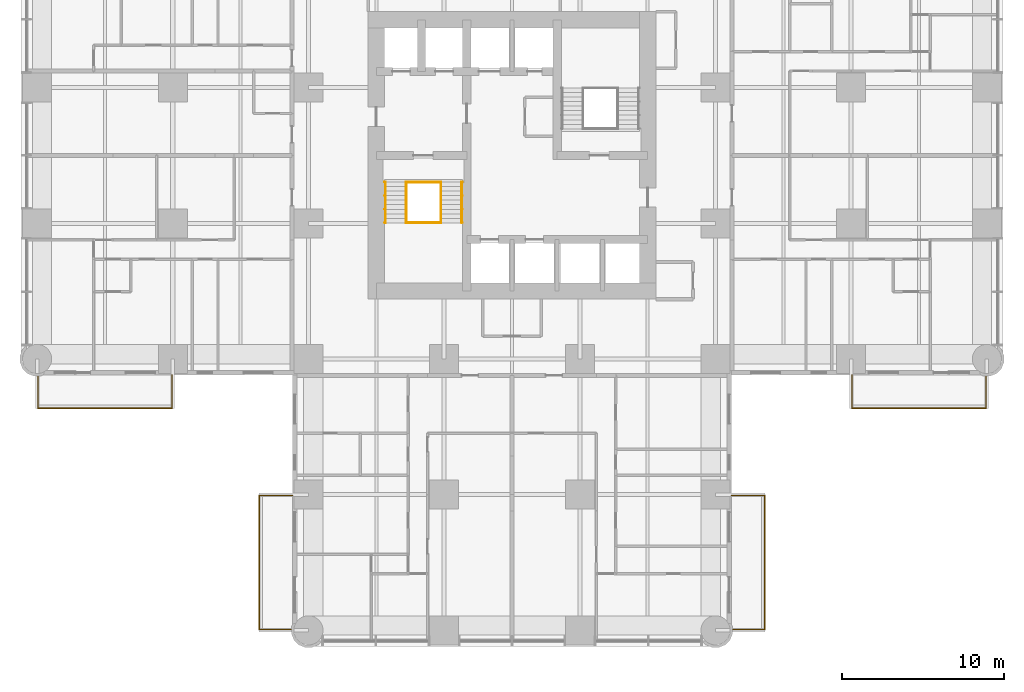
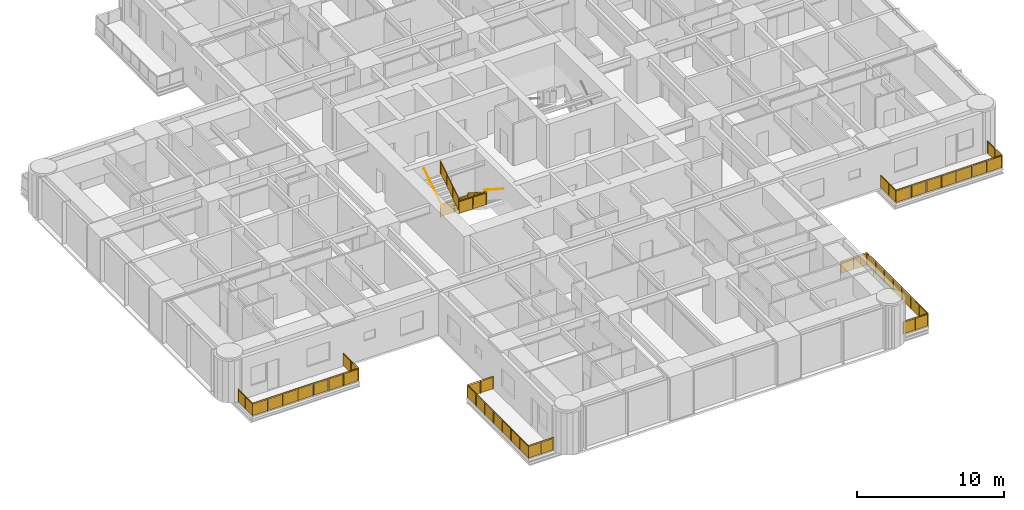
# One storey, part 16 of 17: 10 railings.
"""IFC4 building model written with IfcOpenShell, lengths in metres."""

from ifc_helpers import new_model, si_unit, direction, frame, origin, origin_2d, place, context, subcontext, project, spatial, polyline, circle, outline, extrude, material, constituent, constituent_set, type_object, element, save


model = new_model("IFC4")

# Units and contexts
model_context = context("Model", 3, precision=1e-05, world=origin(), true_north=direction((0.0, 1.0)))
body_context = subcontext(model_context, "Body", "Model", "MODEL_VIEW")
ifc_project = project(units=[si_unit("LENGTHUNIT", "METRE"), si_unit("AREAUNIT", "SQUARE_METRE"), si_unit("VOLUMEUNIT", "CUBIC_METRE"), si_unit("PLANEANGLEUNIT", "RADIAN"), si_unit("MASSUNIT", "GRAM", prefix="KILO")], contexts=[model_context])

# Site, building, storey
site_placement = place(None, origin())
site = spatial("IfcSite", under=ifc_project, at=site_placement, CompositionType="ELEMENT")
building_placement = place(site_placement, origin())
building = spatial("IfcBuilding", under=site, at=building_placement, Name="Torre Alcanfor", CompositionType="ELEMENT")
storey_placement = place(building_placement, frame((0.0, 0.0, 45.300048828125)))
storey = spatial("IfcBuildingStorey", under=building, at=storey_placement, Name="L10", CompositionType="ELEMENT", Elevation=45.300048828125)

# Railings
ifc_material_1 = material(Name="Laminated safety glass", Category="glass")
ifc_constituent_1 = constituent(ifc_material_1, Name="Infill")
ifc_material_2 = material(Name="Stainless steel ASTM A554 Grade MT 316L tube", Category="steel")
ifc_constituent_2 = constituent(ifc_material_2, Name="Posts and rail")
ifc_constituent_set = constituent_set(constituents=[ifc_constituent_1, ifc_constituent_2], Name="Balcony guard glass 1100")
railing_type_1 = type_object("IfcRailingType", Name="Balcony guard glass 1100", PredefinedType="BALUSTRADE", material=ifc_constituent_set)
railing_1_placement = place(storey_placement, frame((50.449951171875, 15.800048828125, 0.0)))
element("IfcRailing", 1, at=railing_1_placement, inside=storey, type_object=railing_type_1, Name="Balcony guard L10-E2", PredefinedType="BALUSTRADE", context=body_context, shape_type="SweptSolid", body=[
    extrude(circle(Radius=0.02392578125, at=origin_2d()), frame((0.0, 0.0, 1.076171875), z_axis=(0.0, -1.0, 0.0), x_axis=(1.0, 0.0, 0.0)), (0.0, 0.0, 1.0), 2.050048828125),
    extrude(circle(Radius=0.02392578125, at=origin_2d()), frame((0.0, -2.050048828125, 1.076171875), z_axis=(1.0, 0.0, 0.0), x_axis=(0.0, 1.0, 0.0)), (0.0, 0.0, 1.0), 8.300048828125),
    extrude(circle(Radius=0.02392578125, at=origin_2d()), frame((8.300048828125, -2.050048828125, 1.076171875), z_axis=(0.0, 1.0, 0.0), x_axis=(-1.0, 0.0, 0.0)), (0.0, 0.0, 1.0), 1.968994140625),
    extrude(circle(Radius=0.02099609375, at=origin_2d()), origin(), (0.0, 0.0, 1.0), 1.052001953125),
    extrude(circle(Radius=0.02099609375, at=origin_2d()), frame((0.0, -1.02490234375, 0.0)), (0.0, 0.0, 1.0), 1.052001953125),
    extrude(circle(Radius=0.02099609375, at=origin_2d()), frame((0.0, -2.050048828125, 0.0)), (0.0, 0.0, 1.0), 1.052001953125),
    extrude(circle(Radius=0.02099609375, at=origin_2d()), frame((1.185791015625, -2.050048828125, 0.0)), (0.0, 0.0, 1.0), 1.052001953125),
    extrude(circle(Radius=0.02099609375, at=origin_2d()), frame((2.371337890625, -2.050048828125, 0.0)), (0.0, 0.0, 1.0), 1.052001953125),
    extrude(circle(Radius=0.02099609375, at=origin_2d()), frame((3.55712890625, -2.050048828125, 0.0)), (0.0, 0.0, 1.0), 1.052001953125),
    extrude(circle(Radius=0.02099609375, at=origin_2d()), frame((4.742919921875, -2.050048828125, 0.0)), (0.0, 0.0, 1.0), 1.052001953125),
    extrude(circle(Radius=0.02099609375, at=origin_2d()), frame((5.9287109375, -2.050048828125, 0.0)), (0.0, 0.0, 1.0), 1.052001953125),
    extrude(circle(Radius=0.02099609375, at=origin_2d()), frame((7.1142578125, -2.050048828125, 0.0)), (0.0, 0.0, 1.0), 1.052001953125),
    extrude(circle(Radius=0.02099609375, at=origin_2d()), frame((8.300048828125, -2.050048828125, 0.0)), (0.0, 0.0, 1.0), 1.052001953125),
    extrude(circle(Radius=0.02099609375, at=origin_2d()), frame((8.300048828125, -1.0654296875, 0.0)), (0.0, 0.0, 1.0), 1.052001953125),
    extrude(circle(Radius=0.02099609375, at=origin_2d()), frame((8.300048828125, -0.0810546875, 0.0)), (0.0, 0.0, 1.0), 1.052001953125),
    extrude(outline(polyline([(0.041015625, 0.050048828125), (0.984130859375, 0.050048828125), (0.984130859375, 1.001953125), (0.041015625, 1.001953125), (0.041015625, 0.050048828125)])), frame((0.005859375, 0.0, 0.0), z_axis=(-1.0, 0.0, 0.0), x_axis=(0.0, -1.0, 0.0)), (0.0, 0.0, 1.0), 0.011962890625),
    extrude(outline(polyline([(1.06591796875, 0.050048828125), (2.009033203125, 0.050048828125), (2.009033203125, 1.001953125), (1.06591796875, 1.001953125), (1.06591796875, 0.050048828125)])), frame((0.005859375, 0.0, 0.0), z_axis=(-1.0, 0.0, 0.0), x_axis=(0.0, -1.0, 0.0)), (0.0, 0.0, 1.0), 0.011962890625),
    extrude(outline(polyline([(0.041015625, 0.050048828125), (1.144775390625, 0.050048828125), (1.144775390625, 1.001953125), (0.041015625, 1.001953125), (0.041015625, 0.050048828125)])), frame((0.0, -2.0439453125, 0.0), z_axis=(0.0, -1.0, 0.0), x_axis=(1.0, 0.0, 0.0)), (0.0, 0.0, 1.0), 0.011962890625),
    extrude(outline(polyline([(1.226806640625, 0.050048828125), (2.330322265625, 0.050048828125), (2.330322265625, 1.001953125), (1.226806640625, 1.001953125), (1.226806640625, 0.050048828125)])), frame((0.0, -2.0439453125, 0.0), z_axis=(0.0, -1.0, 0.0), x_axis=(1.0, 0.0, 0.0)), (0.0, 0.0, 1.0), 0.011962890625),
    extrude(outline(polyline([(2.412353515625, 0.050048828125), (3.51611328125, 0.050048828125), (3.51611328125, 1.001953125), (2.412353515625, 1.001953125), (2.412353515625, 0.050048828125)])), frame((0.0, -2.0439453125, 0.0), z_axis=(0.0, -1.0, 0.0), x_axis=(1.0, 0.0, 0.0)), (0.0, 0.0, 1.0), 0.011962890625),
    extrude(outline(polyline([(3.59814453125, 0.050048828125), (4.701904296875, 0.050048828125), (4.701904296875, 1.001953125), (3.59814453125, 1.001953125), (3.59814453125, 0.050048828125)])), frame((0.0, -2.0439453125, 0.0), z_axis=(0.0, -1.0, 0.0), x_axis=(1.0, 0.0, 0.0)), (0.0, 0.0, 1.0), 0.011962890625),
    extrude(outline(polyline([(4.783935546875, 0.050048828125), (5.8876953125, 0.050048828125), (5.8876953125, 1.001953125), (4.783935546875, 1.001953125), (4.783935546875, 0.050048828125)])), frame((0.0, -2.0439453125, 0.0), z_axis=(0.0, -1.0, 0.0), x_axis=(1.0, 0.0, 0.0)), (0.0, 0.0, 1.0), 0.011962890625),
    extrude(outline(polyline([(5.9697265625, 0.050048828125), (7.0732421875, 0.050048828125), (7.0732421875, 1.001953125), (5.9697265625, 1.001953125), (5.9697265625, 0.050048828125)])), frame((0.0, -2.0439453125, 0.0), z_axis=(0.0, -1.0, 0.0), x_axis=(1.0, 0.0, 0.0)), (0.0, 0.0, 1.0), 0.011962890625),
    extrude(outline(polyline([(7.1552734375, 0.050048828125), (8.259033203125, 0.050048828125), (8.259033203125, 1.001953125), (7.1552734375, 1.001953125), (7.1552734375, 0.050048828125)])), frame((0.0, -2.0439453125, 0.0), z_axis=(0.0, -1.0, 0.0), x_axis=(1.0, 0.0, 0.0)), (0.0, 0.0, 1.0), 0.011962890625),
    extrude(outline(polyline([(0.041015625, 0.050048828125), (0.943603515625, 0.050048828125), (0.943603515625, 1.001953125), (0.041015625, 1.001953125), (0.041015625, 0.050048828125)])), frame((8.2939453125, -2.050048828125, 0.0), z_axis=(1.0, 0.0, 0.0), x_axis=(0.0, 1.0, 0.0)), (0.0, 0.0, 1.0), 0.011962890625),
    extrude(outline(polyline([(1.025390625, 0.050048828125), (1.927978515625, 0.050048828125), (1.927978515625, 1.001953125), (1.025390625, 1.001953125), (1.025390625, 0.050048828125)])), frame((8.2939453125, -2.050048828125, 0.0), z_axis=(1.0, 0.0, 0.0), x_axis=(0.0, 1.0, 0.0)), (0.0, 0.0, 1.0), 0.011962890625),
])
railing_2_placement = place(storey_placement, frame((43.0, 8.35009765625, 0.0)))
element("IfcRailing", 2, at=railing_2_placement, inside=storey, type_object=railing_type_1, Name="Balcony guard L10-S1", PredefinedType="BALUSTRADE", context=body_context, shape_type="SweptSolid", body=[
    extrude(circle(Radius=0.02392578125, at=origin_2d()), frame((0.0, 0.0, 1.076171875), z_axis=(1.0, 0.0, 0.0), x_axis=(0.0, 1.0, 0.0)), (0.0, 0.0, 1.0), 2.050048828125),
    extrude(circle(Radius=0.02392578125, at=origin_2d()), frame((2.050048828125, 0.0, 1.076171875), z_axis=(0.0, -1.0, 0.0), x_axis=(1.0, 0.0, 0.0)), (0.0, 0.0, 1.0), 8.300048828125),
    extrude(circle(Radius=0.02392578125, at=origin_2d()), frame((2.050048828125, -8.300048828125, 1.076171875), z_axis=(-1.0, 0.0, 0.0), x_axis=(0.0, -1.0, 0.0)), (0.0, 0.0, 1.0), 1.968994140625),
    extrude(circle(Radius=0.02099609375, at=origin_2d()), origin(), (0.0, 0.0, 1.0), 1.052001953125),
    extrude(circle(Radius=0.02099609375, at=origin_2d()), frame((1.02490234375, 0.0, 0.0)), (0.0, 0.0, 1.0), 1.052001953125),
    extrude(circle(Radius=0.02099609375, at=origin_2d()), frame((2.050048828125, 0.0, 0.0)), (0.0, 0.0, 1.0), 1.052001953125),
    extrude(circle(Radius=0.02099609375, at=origin_2d()), frame((2.050048828125, -1.185791015625, 0.0)), (0.0, 0.0, 1.0), 1.052001953125),
    extrude(circle(Radius=0.02099609375, at=origin_2d()), frame((2.050048828125, -2.371337890625, 0.0)), (0.0, 0.0, 1.0), 1.052001953125),
    extrude(circle(Radius=0.02099609375, at=origin_2d()), frame((2.050048828125, -3.55712890625, 0.0)), (0.0, 0.0, 1.0), 1.052001953125),
    extrude(circle(Radius=0.02099609375, at=origin_2d()), frame((2.050048828125, -4.742919921875, 0.0)), (0.0, 0.0, 1.0), 1.052001953125),
    extrude(circle(Radius=0.02099609375, at=origin_2d()), frame((2.050048828125, -5.9287109375, 0.0)), (0.0, 0.0, 1.0), 1.052001953125),
    extrude(circle(Radius=0.02099609375, at=origin_2d()), frame((2.050048828125, -7.1142578125, 0.0)), (0.0, 0.0, 1.0), 1.052001953125),
    extrude(circle(Radius=0.02099609375, at=origin_2d()), frame((2.050048828125, -8.300048828125, 0.0)), (0.0, 0.0, 1.0), 1.052001953125),
    extrude(circle(Radius=0.02099609375, at=origin_2d()), frame((1.0654296875, -8.300048828125, 0.0)), (0.0, 0.0, 1.0), 1.052001953125),
    extrude(circle(Radius=0.02099609375, at=origin_2d()), frame((0.0810546875, -8.300048828125, 0.0)), (0.0, 0.0, 1.0), 1.052001953125),
    extrude(outline(polyline([(0.041015625, 0.050048828125), (0.984130859375, 0.050048828125), (0.984130859375, 1.001953125), (0.041015625, 1.001953125), (0.041015625, 0.050048828125)])), frame((0.0, 0.005859375, 0.0), z_axis=(0.0, -1.0, 0.0), x_axis=(1.0, 0.0, 0.0)), (0.0, 0.0, 1.0), 0.011962890625),
    extrude(outline(polyline([(1.06591796875, 0.050048828125), (2.009033203125, 0.050048828125), (2.009033203125, 1.001953125), (1.06591796875, 1.001953125), (1.06591796875, 0.050048828125)])), frame((0.0, 0.005859375, 0.0), z_axis=(0.0, -1.0, 0.0), x_axis=(1.0, 0.0, 0.0)), (0.0, 0.0, 1.0), 0.011962890625),
    extrude(outline(polyline([(0.041015625, 0.050048828125), (1.144775390625, 0.050048828125), (1.144775390625, 1.001953125), (0.041015625, 1.001953125), (0.041015625, 0.050048828125)])), frame((2.05615234375, 0.0, 0.0), z_axis=(-1.0, 0.0, 0.0), x_axis=(0.0, -1.0, 0.0)), (0.0, 0.0, 1.0), 0.011962890625),
    extrude(outline(polyline([(1.226806640625, 0.050048828125), (2.330322265625, 0.050048828125), (2.330322265625, 1.001953125), (1.226806640625, 1.001953125), (1.226806640625, 0.050048828125)])), frame((2.05615234375, 0.0, 0.0), z_axis=(-1.0, 0.0, 0.0), x_axis=(0.0, -1.0, 0.0)), (0.0, 0.0, 1.0), 0.011962890625),
    extrude(outline(polyline([(2.412353515625, 0.050048828125), (3.51611328125, 0.050048828125), (3.51611328125, 1.001953125), (2.412353515625, 1.001953125), (2.412353515625, 0.050048828125)])), frame((2.05615234375, 0.0, 0.0), z_axis=(-1.0, 0.0, 0.0), x_axis=(0.0, -1.0, 0.0)), (0.0, 0.0, 1.0), 0.011962890625),
    extrude(outline(polyline([(3.59814453125, 0.050048828125), (4.701904296875, 0.050048828125), (4.701904296875, 1.001953125), (3.59814453125, 1.001953125), (3.59814453125, 0.050048828125)])), frame((2.05615234375, 0.0, 0.0), z_axis=(-1.0, 0.0, 0.0), x_axis=(0.0, -1.0, 0.0)), (0.0, 0.0, 1.0), 0.011962890625),
    extrude(outline(polyline([(4.783935546875, 0.050048828125), (5.8876953125, 0.050048828125), (5.8876953125, 1.001953125), (4.783935546875, 1.001953125), (4.783935546875, 0.050048828125)])), frame((2.05615234375, 0.0, 0.0), z_axis=(-1.0, 0.0, 0.0), x_axis=(0.0, -1.0, 0.0)), (0.0, 0.0, 1.0), 0.011962890625),
    extrude(outline(polyline([(5.9697265625, 0.050048828125), (7.0732421875, 0.050048828125), (7.0732421875, 1.001953125), (5.9697265625, 1.001953125), (5.9697265625, 0.050048828125)])), frame((2.05615234375, 0.0, 0.0), z_axis=(-1.0, 0.0, 0.0), x_axis=(0.0, -1.0, 0.0)), (0.0, 0.0, 1.0), 0.011962890625),
    extrude(outline(polyline([(7.1552734375, 0.050048828125), (8.259033203125, 0.050048828125), (8.259033203125, 1.001953125), (7.1552734375, 1.001953125), (7.1552734375, 0.050048828125)])), frame((2.05615234375, 0.0, 0.0), z_axis=(-1.0, 0.0, 0.0), x_axis=(0.0, -1.0, 0.0)), (0.0, 0.0, 1.0), 0.011962890625),
    extrude(outline(polyline([(0.041015625, 0.050048828125), (0.943603515625, 0.050048828125), (0.943603515625, 1.001953125), (0.041015625, 1.001953125), (0.041015625, 0.050048828125)])), frame((2.050048828125, -8.30615234375, 0.0), z_axis=(0.0, 1.0, 0.0), x_axis=(-1.0, 0.0, 0.0)), (0.0, 0.0, 1.0), 0.011962890625),
    extrude(outline(polyline([(1.025390625, 0.050048828125), (1.927978515625, 0.050048828125), (1.927978515625, 1.001953125), (1.025390625, 1.001953125), (1.025390625, 0.050048828125)])), frame((2.050048828125, -8.30615234375, 0.0), z_axis=(0.0, 1.0, 0.0), x_axis=(-1.0, 0.0, 0.0)), (0.0, 0.0, 1.0), 0.011962890625),
])
railing_3_placement = place(storey_placement, frame((15.800048828125, 8.35009765625, 0.0)))
element("IfcRailing", 3, at=railing_3_placement, inside=storey, type_object=railing_type_1, Name="Balcony guard L10-S2", PredefinedType="BALUSTRADE", context=body_context, shape_type="SweptSolid", body=[
    extrude(circle(Radius=0.02392578125, at=origin_2d()), frame((0.0, 0.0, 1.076171875), z_axis=(-1.0, 0.0, 0.0), x_axis=(0.0, -1.0, 0.0)), (0.0, 0.0, 1.0), 2.050048828125),
    extrude(circle(Radius=0.02392578125, at=origin_2d()), frame((-2.050048828125, 0.0, 1.076171875), z_axis=(0.0, -1.0, 0.0), x_axis=(1.0, 0.0, 0.0)), (0.0, 0.0, 1.0), 8.300048828125),
    extrude(circle(Radius=0.02392578125, at=origin_2d()), frame((-2.050048828125, -8.300048828125, 1.076171875), z_axis=(1.0, 0.0, 0.0), x_axis=(0.0, 1.0, 0.0)), (0.0, 0.0, 1.0), 1.968994140625),
    extrude(circle(Radius=0.02099609375, at=origin_2d()), origin(), (0.0, 0.0, 1.0), 1.052001953125),
    extrude(circle(Radius=0.02099609375, at=origin_2d()), frame((-1.02490234375, 0.0, 0.0)), (0.0, 0.0, 1.0), 1.052001953125),
    extrude(circle(Radius=0.02099609375, at=origin_2d()), frame((-2.050048828125, 0.0, 0.0)), (0.0, 0.0, 1.0), 1.052001953125),
    extrude(circle(Radius=0.02099609375, at=origin_2d()), frame((-2.050048828125, -1.185791015625, 0.0)), (0.0, 0.0, 1.0), 1.052001953125),
    extrude(circle(Radius=0.02099609375, at=origin_2d()), frame((-2.050048828125, -2.371337890625, 0.0)), (0.0, 0.0, 1.0), 1.052001953125),
    extrude(circle(Radius=0.02099609375, at=origin_2d()), frame((-2.050048828125, -3.55712890625, 0.0)), (0.0, 0.0, 1.0), 1.052001953125),
    extrude(circle(Radius=0.02099609375, at=origin_2d()), frame((-2.050048828125, -4.742919921875, 0.0)), (0.0, 0.0, 1.0), 1.052001953125),
    extrude(circle(Radius=0.02099609375, at=origin_2d()), frame((-2.050048828125, -5.9287109375, 0.0)), (0.0, 0.0, 1.0), 1.052001953125),
    extrude(circle(Radius=0.02099609375, at=origin_2d()), frame((-2.050048828125, -7.1142578125, 0.0)), (0.0, 0.0, 1.0), 1.052001953125),
    extrude(circle(Radius=0.02099609375, at=origin_2d()), frame((-2.050048828125, -8.300048828125, 0.0)), (0.0, 0.0, 1.0), 1.052001953125),
    extrude(circle(Radius=0.02099609375, at=origin_2d()), frame((-1.0654296875, -8.300048828125, 0.0)), (0.0, 0.0, 1.0), 1.052001953125),
    extrude(circle(Radius=0.02099609375, at=origin_2d()), frame((-0.0810546875, -8.300048828125, 0.0)), (0.0, 0.0, 1.0), 1.052001953125),
    extrude(outline(polyline([(0.041015625, 0.050048828125), (0.984130859375, 0.050048828125), (0.984130859375, 1.001953125), (0.041015625, 1.001953125), (0.041015625, 0.050048828125)])), frame((0.0, -0.005859375, 0.0), z_axis=(0.0, 1.0, 0.0), x_axis=(-1.0, 0.0, 0.0)), (0.0, 0.0, 1.0), 0.011962890625),
    extrude(outline(polyline([(1.06591796875, 0.050048828125), (2.009033203125, 0.050048828125), (2.009033203125, 1.001953125), (1.06591796875, 1.001953125), (1.06591796875, 0.050048828125)])), frame((0.0, -0.005859375, 0.0), z_axis=(0.0, 1.0, 0.0), x_axis=(-1.0, 0.0, 0.0)), (0.0, 0.0, 1.0), 0.011962890625),
    extrude(outline(polyline([(0.041015625, 0.050048828125), (1.144775390625, 0.050048828125), (1.144775390625, 1.001953125), (0.041015625, 1.001953125), (0.041015625, 0.050048828125)])), frame((-2.0439453125, 0.0, 0.0), z_axis=(-1.0, 0.0, 0.0), x_axis=(0.0, -1.0, 0.0)), (0.0, 0.0, 1.0), 0.011962890625),
    extrude(outline(polyline([(1.226806640625, 0.050048828125), (2.330322265625, 0.050048828125), (2.330322265625, 1.001953125), (1.226806640625, 1.001953125), (1.226806640625, 0.050048828125)])), frame((-2.0439453125, 0.0, 0.0), z_axis=(-1.0, 0.0, 0.0), x_axis=(0.0, -1.0, 0.0)), (0.0, 0.0, 1.0), 0.011962890625),
    extrude(outline(polyline([(2.412353515625, 0.050048828125), (3.51611328125, 0.050048828125), (3.51611328125, 1.001953125), (2.412353515625, 1.001953125), (2.412353515625, 0.050048828125)])), frame((-2.0439453125, 0.0, 0.0), z_axis=(-1.0, 0.0, 0.0), x_axis=(0.0, -1.0, 0.0)), (0.0, 0.0, 1.0), 0.011962890625),
    extrude(outline(polyline([(3.59814453125, 0.050048828125), (4.701904296875, 0.050048828125), (4.701904296875, 1.001953125), (3.59814453125, 1.001953125), (3.59814453125, 0.050048828125)])), frame((-2.0439453125, 0.0, 0.0), z_axis=(-1.0, 0.0, 0.0), x_axis=(0.0, -1.0, 0.0)), (0.0, 0.0, 1.0), 0.011962890625),
    extrude(outline(polyline([(4.783935546875, 0.050048828125), (5.8876953125, 0.050048828125), (5.8876953125, 1.001953125), (4.783935546875, 1.001953125), (4.783935546875, 0.050048828125)])), frame((-2.0439453125, 0.0, 0.0), z_axis=(-1.0, 0.0, 0.0), x_axis=(0.0, -1.0, 0.0)), (0.0, 0.0, 1.0), 0.011962890625),
    extrude(outline(polyline([(5.9697265625, 0.050048828125), (7.0732421875, 0.050048828125), (7.0732421875, 1.001953125), (5.9697265625, 1.001953125), (5.9697265625, 0.050048828125)])), frame((-2.0439453125, 0.0, 0.0), z_axis=(-1.0, 0.0, 0.0), x_axis=(0.0, -1.0, 0.0)), (0.0, 0.0, 1.0), 0.011962890625),
    extrude(outline(polyline([(7.1552734375, 0.050048828125), (8.259033203125, 0.050048828125), (8.259033203125, 1.001953125), (7.1552734375, 1.001953125), (7.1552734375, 0.050048828125)])), frame((-2.0439453125, 0.0, 0.0), z_axis=(-1.0, 0.0, 0.0), x_axis=(0.0, -1.0, 0.0)), (0.0, 0.0, 1.0), 0.011962890625),
    extrude(outline(polyline([(0.041015625, 0.050048828125), (0.943603515625, 0.050048828125), (0.943603515625, 1.001953125), (0.041015625, 1.001953125), (0.041015625, 0.050048828125)])), frame((-2.050048828125, -8.2939453125, 0.0), z_axis=(0.0, -1.0, 0.0), x_axis=(1.0, 0.0, 0.0)), (0.0, 0.0, 1.0), 0.011962890625),
    extrude(outline(polyline([(1.025390625, 0.050048828125), (1.927978515625, 0.050048828125), (1.927978515625, 1.001953125), (1.025390625, 1.001953125), (1.025390625, 0.050048828125)])), frame((-2.050048828125, -8.2939453125, 0.0), z_axis=(0.0, -1.0, 0.0), x_axis=(1.0, 0.0, 0.0)), (0.0, 0.0, 1.0), 0.011962890625),
])
railing_4_placement = place(storey_placement, frame((8.35009765625, 15.800048828125, 0.0)))
element("IfcRailing", 4, at=railing_4_placement, inside=storey, type_object=railing_type_1, Name="Balcony guard L10-W1", PredefinedType="BALUSTRADE", context=body_context, shape_type="SweptSolid", body=[
    extrude(circle(Radius=0.02392578125, at=origin_2d()), frame((0.0, 0.0, 1.076171875), z_axis=(0.0, -1.0, 0.0), x_axis=(1.0, 0.0, 0.0)), (0.0, 0.0, 1.0), 2.050048828125),
    extrude(circle(Radius=0.02392578125, at=origin_2d()), frame((0.0, -2.050048828125, 1.076171875), z_axis=(-1.0, 0.0, 0.0), x_axis=(0.0, -1.0, 0.0)), (0.0, 0.0, 1.0), 8.300048828125),
    extrude(circle(Radius=0.02392578125, at=origin_2d()), frame((-8.300048828125, -2.050048828125, 1.076171875), z_axis=(0.0, 1.0, 0.0), x_axis=(-1.0, 0.0, 0.0)), (0.0, 0.0, 1.0), 1.968994140625),
    extrude(circle(Radius=0.02099609375, at=origin_2d()), origin(), (0.0, 0.0, 1.0), 1.052001953125),
    extrude(circle(Radius=0.02099609375, at=origin_2d()), frame((0.0, -1.02490234375, 0.0)), (0.0, 0.0, 1.0), 1.052001953125),
    extrude(circle(Radius=0.02099609375, at=origin_2d()), frame((0.0, -2.050048828125, 0.0)), (0.0, 0.0, 1.0), 1.052001953125),
    extrude(circle(Radius=0.02099609375, at=origin_2d()), frame((-1.185791015625, -2.050048828125, 0.0)), (0.0, 0.0, 1.0), 1.052001953125),
    extrude(circle(Radius=0.02099609375, at=origin_2d()), frame((-2.371337890625, -2.050048828125, 0.0)), (0.0, 0.0, 1.0), 1.052001953125),
    extrude(circle(Radius=0.02099609375, at=origin_2d()), frame((-3.55712890625, -2.050048828125, 0.0)), (0.0, 0.0, 1.0), 1.052001953125),
    extrude(circle(Radius=0.02099609375, at=origin_2d()), frame((-4.742919921875, -2.050048828125, 0.0)), (0.0, 0.0, 1.0), 1.052001953125),
    extrude(circle(Radius=0.02099609375, at=origin_2d()), frame((-5.9287109375, -2.050048828125, 0.0)), (0.0, 0.0, 1.0), 1.052001953125),
    extrude(circle(Radius=0.02099609375, at=origin_2d()), frame((-7.1142578125, -2.050048828125, 0.0)), (0.0, 0.0, 1.0), 1.052001953125),
    extrude(circle(Radius=0.02099609375, at=origin_2d()), frame((-8.300048828125, -2.050048828125, 0.0)), (0.0, 0.0, 1.0), 1.052001953125),
    extrude(circle(Radius=0.02099609375, at=origin_2d()), frame((-8.300048828125, -1.0654296875, 0.0)), (0.0, 0.0, 1.0), 1.052001953125),
    extrude(circle(Radius=0.02099609375, at=origin_2d()), frame((-8.300048828125, -0.0810546875, 0.0)), (0.0, 0.0, 1.0), 1.052001953125),
    extrude(outline(polyline([(0.041015625, 0.050048828125), (0.984130859375, 0.050048828125), (0.984130859375, 1.001953125), (0.041015625, 1.001953125), (0.041015625, 0.050048828125)])), frame((0.005859375, 0.0, 0.0), z_axis=(-1.0, 0.0, 0.0), x_axis=(0.0, -1.0, 0.0)), (0.0, 0.0, 1.0), 0.011962890625),
    extrude(outline(polyline([(1.06591796875, 0.050048828125), (2.009033203125, 0.050048828125), (2.009033203125, 1.001953125), (1.06591796875, 1.001953125), (1.06591796875, 0.050048828125)])), frame((0.005859375, 0.0, 0.0), z_axis=(-1.0, 0.0, 0.0), x_axis=(0.0, -1.0, 0.0)), (0.0, 0.0, 1.0), 0.011962890625),
    extrude(outline(polyline([(0.041015625, 0.050048828125), (1.144775390625, 0.050048828125), (1.144775390625, 1.001953125), (0.041015625, 1.001953125), (0.041015625, 0.050048828125)])), frame((0.0, -2.05615234375, 0.0), z_axis=(0.0, 1.0, 0.0), x_axis=(-1.0, 0.0, 0.0)), (0.0, 0.0, 1.0), 0.011962890625),
    extrude(outline(polyline([(1.226806640625, 0.050048828125), (2.330322265625, 0.050048828125), (2.330322265625, 1.001953125), (1.226806640625, 1.001953125), (1.226806640625, 0.050048828125)])), frame((0.0, -2.05615234375, 0.0), z_axis=(0.0, 1.0, 0.0), x_axis=(-1.0, 0.0, 0.0)), (0.0, 0.0, 1.0), 0.011962890625),
    extrude(outline(polyline([(2.412353515625, 0.050048828125), (3.51611328125, 0.050048828125), (3.51611328125, 1.001953125), (2.412353515625, 1.001953125), (2.412353515625, 0.050048828125)])), frame((0.0, -2.05615234375, 0.0), z_axis=(0.0, 1.0, 0.0), x_axis=(-1.0, 0.0, 0.0)), (0.0, 0.0, 1.0), 0.011962890625),
    extrude(outline(polyline([(3.59814453125, 0.050048828125), (4.701904296875, 0.050048828125), (4.701904296875, 1.001953125), (3.59814453125, 1.001953125), (3.59814453125, 0.050048828125)])), frame((0.0, -2.05615234375, 0.0), z_axis=(0.0, 1.0, 0.0), x_axis=(-1.0, 0.0, 0.0)), (0.0, 0.0, 1.0), 0.011962890625),
    extrude(outline(polyline([(4.783935546875, 0.050048828125), (5.8876953125, 0.050048828125), (5.8876953125, 1.001953125), (4.783935546875, 1.001953125), (4.783935546875, 0.050048828125)])), frame((0.0, -2.05615234375, 0.0), z_axis=(0.0, 1.0, 0.0), x_axis=(-1.0, 0.0, 0.0)), (0.0, 0.0, 1.0), 0.011962890625),
    extrude(outline(polyline([(5.9697265625, 0.050048828125), (7.0732421875, 0.050048828125), (7.0732421875, 1.001953125), (5.9697265625, 1.001953125), (5.9697265625, 0.050048828125)])), frame((0.0, -2.05615234375, 0.0), z_axis=(0.0, 1.0, 0.0), x_axis=(-1.0, 0.0, 0.0)), (0.0, 0.0, 1.0), 0.011962890625),
    extrude(outline(polyline([(7.1552734375, 0.050048828125), (8.259033203125, 0.050048828125), (8.259033203125, 1.001953125), (7.1552734375, 1.001953125), (7.1552734375, 0.050048828125)])), frame((0.0, -2.05615234375, 0.0), z_axis=(0.0, 1.0, 0.0), x_axis=(-1.0, 0.0, 0.0)), (0.0, 0.0, 1.0), 0.011962890625),
    extrude(outline(polyline([(0.041015625, 0.050048828125), (0.943603515625, 0.050048828125), (0.943603515625, 1.001953125), (0.041015625, 1.001953125), (0.041015625, 0.050048828125)])), frame((-8.30615234375, -2.050048828125, 0.0), z_axis=(1.0, 0.0, 0.0), x_axis=(0.0, 1.0, 0.0)), (0.0, 0.0, 1.0), 0.011962890625),
    extrude(outline(polyline([(1.025390625, 0.050048828125), (1.927978515625, 0.050048828125), (1.927978515625, 1.001953125), (1.025390625, 1.001953125), (1.025390625, 0.050048828125)])), frame((-8.30615234375, -2.050048828125, 0.0), z_axis=(1.0, 0.0, 0.0), x_axis=(0.0, 1.0, 0.0)), (0.0, 0.0, 1.0), 0.011962890625),
])
ifc_material_3 = material(Name="Steel ASTM A500 Grade C hollow sections", Category="steel")
railing_type_2 = type_object("IfcRailingType", Name="Stair guard and handrail 1100", PredefinedType="GUARDRAIL", material=ifc_material_3)
railing_5_placement = place(storey_placement, frame((25.0, 27.75, 0.179931640625)))
element("IfcRailing", 5, at=railing_5_placement, inside=storey, type_object=railing_type_2, Name="Stair guard S1 L10 flight 1", PredefinedType="GUARDRAIL", context=body_context, shape_type="SweptSolid", body=[
    extrude(circle(Radius=0.02392578125, at=origin_2d()), frame((0.0, 0.0, 1.076171875), z_axis=(0.0, -0.841162588446, 0.540782303519), x_axis=(1.0, 0.0, 0.0)), (0.0, 0.0, 1.0), 2.995849609375),
    extrude(circle(Radius=0.02099609375, at=origin_2d()), origin(), (0.0, 0.0, 1.0), 1.052001953125),
    extrude(circle(Radius=0.02099609375, at=origin_2d()), frame((0.0, -0.840087890625, 0.5400390625)), (0.0, 0.0, 1.0), 1.052001953125),
    extrude(circle(Radius=0.02099609375, at=origin_2d()), frame((0.0, -1.679931640625, 1.080078125)), (0.0, 0.0, 1.0), 1.052001953125),
    extrude(circle(Radius=0.02099609375, at=origin_2d()), frame((0.0, -2.52001953125, 1.6201171875)), (0.0, 0.0, 1.0), 1.052001953125),
    extrude(outline(polyline([(0.041015625, 0.076416015625), (0.799072265625, 0.563720703125), (0.799072265625, 1.515625), (0.041015625, 1.0283203125), (0.041015625, 0.076416015625)])), frame((0.005859375, 0.0, 0.0), z_axis=(-1.0, 0.0, 0.0), x_axis=(0.0, -1.0, 0.0)), (0.0, 0.0, 1.0), 0.011962890625),
    extrude(outline(polyline([(0.881103515625, 0.616455078125), (1.638916015625, 1.103759765625), (1.638916015625, 2.0556640625), (0.881103515625, 1.568359375), (0.881103515625, 0.616455078125)])), frame((0.005859375, 0.0, 0.0), z_axis=(-1.0, 0.0, 0.0), x_axis=(0.0, -1.0, 0.0)), (0.0, 0.0, 1.0), 0.011962890625),
    extrude(outline(polyline([(1.720947265625, 1.156494140625), (2.47900390625, 1.643798828125), (2.47900390625, 2.595703125), (1.720947265625, 2.1083984375), (1.720947265625, 1.156494140625)])), frame((0.005859375, 0.0, 0.0), z_axis=(-1.0, 0.0, 0.0), x_axis=(0.0, -1.0, 0.0)), (0.0, 0.0, 1.0), 0.011962890625),
])
railing_6_placement = place(storey_placement, frame((22.85009765625, 25.22998046875, 1.97998046875)))
element("IfcRailing", 6, at=railing_6_placement, inside=storey, type_object=railing_type_2, Name="Stair guard S1 L10 flight 2", PredefinedType="GUARDRAIL", context=body_context, shape_type="SweptSolid", body=[
    extrude(circle(Radius=0.02392578125, at=origin_2d()), frame((0.0, 0.0, 1.076171875), z_axis=(0.0, 0.841199657755, 0.540724639528), x_axis=(-1.0, 0.0, 0.0)), (0.0, 0.0, 1.0), 2.995849609375),
    extrude(circle(Radius=0.02099609375, at=origin_2d()), origin(), (0.0, 0.0, 1.0), 1.052001953125),
    extrude(circle(Radius=0.02099609375, at=origin_2d()), frame((0.0, 0.840087890625, 0.5400390625)), (0.0, 0.0, 1.0), 1.052001953125),
    extrude(circle(Radius=0.02099609375, at=origin_2d()), frame((0.0, 1.679931640625, 1.079833984375)), (0.0, 0.0, 1.0), 1.052001953125),
    extrude(circle(Radius=0.02099609375, at=origin_2d()), frame((0.0, 2.52001953125, 1.619873046875)), (0.0, 0.0, 1.0), 1.052001953125),
    extrude(outline(polyline([(0.041015625, 0.076416015625), (0.799072265625, 0.563720703125), (0.799072265625, 1.515625), (0.041015625, 1.0283203125), (0.041015625, 0.076416015625)])), frame((-0.005859375, 0.0, 0.0), z_axis=(1.0, 0.0, 0.0), x_axis=(0.0, 1.0, 0.0)), (0.0, 0.0, 1.0), 0.011962890625),
    extrude(outline(polyline([(0.881103515625, 0.6162109375), (1.638916015625, 1.103515625), (1.638916015625, 2.0556640625), (0.881103515625, 1.568359375), (0.881103515625, 0.6162109375)])), frame((-0.005859375, 0.0, 0.0), z_axis=(1.0, 0.0, 0.0), x_axis=(0.0, 1.0, 0.0)), (0.0, 0.0, 1.0), 0.011962890625),
    extrude(outline(polyline([(1.720947265625, 1.15625), (2.47900390625, 1.6435546875), (2.47900390625, 2.595458984375), (1.720947265625, 2.108154296875), (1.720947265625, 1.15625)])), frame((-0.005859375, 0.0, 0.0), z_axis=(1.0, 0.0, 0.0), x_axis=(0.0, 1.0, 0.0)), (0.0, 0.0, 1.0), 0.011962890625),
])
for number, where, name in (
    (7, (22.85009765625, 27.75, 0.0), "Stair well guard S1 L10 floor landing"),
    (8, (22.85009765625, 25.22998046875, 1.800048828125), "Stair well guard S1 L10 half landing"),
):
    element("IfcRailing", number, at=place(storey_placement, frame(where)), inside=storey, type_object=railing_type_2, Name=name, PredefinedType="GUARDRAIL", context=body_context, shape_type="SweptSolid", body=[
        extrude(circle(Radius=0.02392578125, at=origin_2d()), frame((0.0, 0.0, 1.076171875), z_axis=(1.0, 0.0, 0.0), x_axis=(0.0, 1.0, 0.0)), (0.0, 0.0, 1.0), 2.14990234375),
        extrude(circle(Radius=0.02099609375, at=origin_2d()), origin(), (0.0, 0.0, 1.0), 1.052001953125),
        extrude(circle(Radius=0.02099609375, at=origin_2d()), frame((1.074951171875, 0.0, 0.0)), (0.0, 0.0, 1.0), 1.052001953125),
        extrude(circle(Radius=0.02099609375, at=origin_2d()), frame((2.14990234375, 0.0, 0.0)), (0.0, 0.0, 1.0), 1.052001953125),
        extrude(outline(polyline([(0.041015625, 0.050048828125), (1.033935546875, 0.050048828125), (1.033935546875, 1.001953125), (0.041015625, 1.001953125), (0.041015625, 0.050048828125)])), frame((0.0, 0.005859375, 0.0), z_axis=(0.0, -1.0, 0.0), x_axis=(1.0, 0.0, 0.0)), (0.0, 0.0, 1.0), 0.011962890625),
        extrude(outline(polyline([(1.115966796875, 0.050048828125), (2.10888671875, 0.050048828125), (2.10888671875, 1.001953125), (1.115966796875, 1.001953125), (1.115966796875, 0.050048828125)])), frame((0.0, 0.005859375, 0.0), z_axis=(0.0, -1.0, 0.0), x_axis=(1.0, 0.0, 0.0)), (0.0, 0.0, 1.0), 0.011962890625),
    ])
ifc_material_4 = material(Name="Steel ASTM A500 Grade C hollow sections", Category="steel")
railing_type_3 = type_object("IfcRailingType", Name="Stair wall handrail 900", PredefinedType="HANDRAIL", material=ifc_material_4)
railing_7_placement = place(storey_placement, frame((26.284912109375, 27.75, 0.179931640625)))
element("IfcRailing", 9, at=railing_7_placement, inside=storey, type_object=railing_type_3, Name="Stair handrail S1 L10 flight 1", PredefinedType="HANDRAIL", context=body_context, shape_type="SweptSolid", body=[
    extrude(circle(Radius=0.02392578125, at=origin_2d()), frame((0.0, 0.0, 0.8759765625), z_axis=(0.0, -0.841162588446, 0.540782303519), x_axis=(1.0, 0.0, 0.0)), (0.0, 0.0, 1.0), 2.995849609375),
    extrude(circle(Radius=0.008056640625, at=origin_2d()), frame((0.0, 0.0, 0.8759765625), z_axis=(1.0, 0.0, 0.0), x_axis=(0.0, 0.0, 1.0)), (0.0, 0.0, 1.0), 0.06494140625),
    extrude(circle(Radius=0.008056640625, at=origin_2d()), frame((0.0, -0.840087890625, 1.416015625), z_axis=(1.0, 0.0, 0.0), x_axis=(0.0, 0.0, 1.0)), (0.0, 0.0, 1.0), 0.06494140625),
    extrude(circle(Radius=0.008056640625, at=origin_2d()), frame((0.0, -1.679931640625, 1.9560546875), z_axis=(1.0, 0.0, 0.0), x_axis=(0.0, 0.0, 1.0)), (0.0, 0.0, 1.0), 0.06494140625),
    extrude(circle(Radius=0.008056640625, at=origin_2d()), frame((0.0, -2.52001953125, 2.49609375), z_axis=(1.0, 0.0, 0.0), x_axis=(0.0, 0.0, 1.0)), (0.0, 0.0, 1.0), 0.06494140625),
])
railing_8_placement = place(storey_placement, frame((21.56494140625, 25.22998046875, 1.97998046875)))
element("IfcRailing", 10, at=railing_8_placement, inside=storey, type_object=railing_type_3, Name="Stair handrail S1 L10 flight 2", PredefinedType="HANDRAIL", context=body_context, shape_type="SweptSolid", body=[
    extrude(circle(Radius=0.02392578125, at=origin_2d()), frame((0.0, 0.0, 0.8759765625), z_axis=(0.0, 0.841199657755, 0.540724639528), x_axis=(-1.0, 0.0, 0.0)), (0.0, 0.0, 1.0), 2.995849609375),
    extrude(circle(Radius=0.008056640625, at=origin_2d()), frame((0.0, 0.0, 0.8759765625), z_axis=(-1.0, 0.0, 0.0), x_axis=(0.0, 0.0, 1.0)), (0.0, 0.0, 1.0), 0.06494140625),
    extrude(circle(Radius=0.008056640625, at=origin_2d()), frame((0.0, 0.840087890625, 1.415771484375), z_axis=(-1.0, 0.0, 0.0), x_axis=(0.0, 0.0, 1.0)), (0.0, 0.0, 1.0), 0.06494140625),
    extrude(circle(Radius=0.008056640625, at=origin_2d()), frame((0.0, 1.679931640625, 1.955810546875), z_axis=(-1.0, 0.0, 0.0), x_axis=(0.0, 0.0, 1.0)), (0.0, 0.0, 1.0), 0.06494140625),
    extrude(circle(Radius=0.008056640625, at=origin_2d()), frame((0.0, 2.52001953125, 2.49560546875), z_axis=(-1.0, 0.0, 0.0), x_axis=(0.0, 0.0, 1.0)), (0.0, 0.0, 1.0), 0.06494140625),
])

save(model, "model.ifc")
